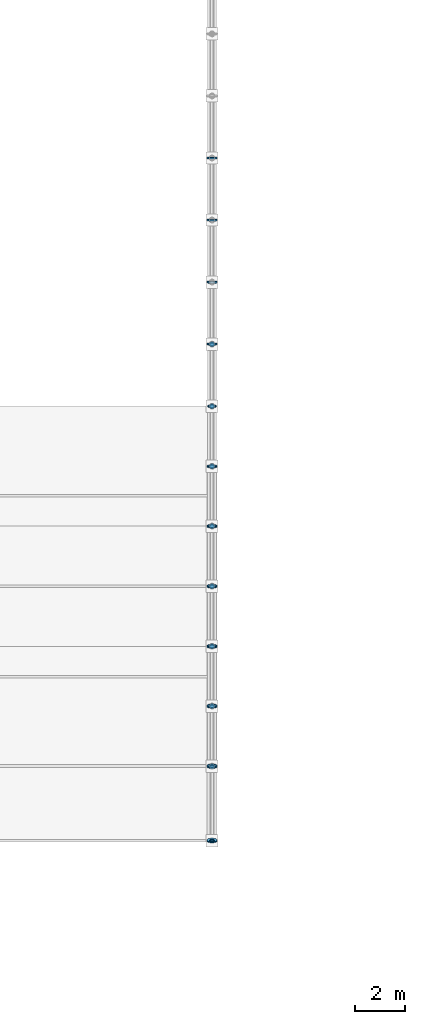
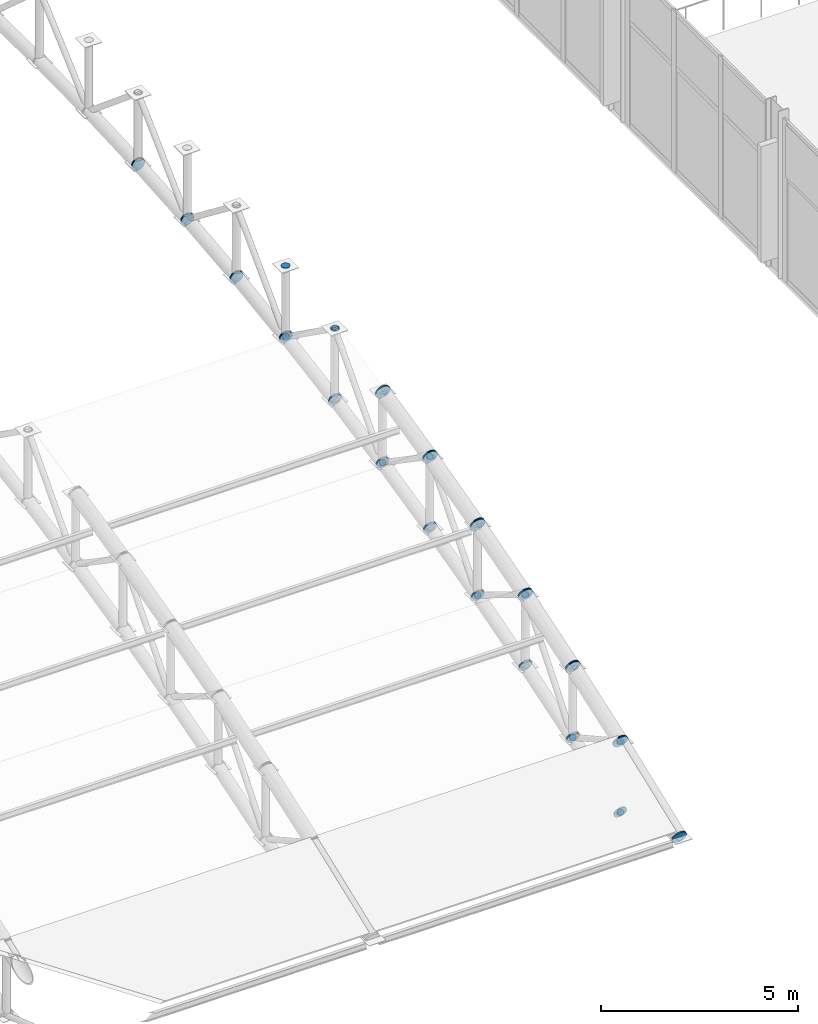
# One storey, part 127 of 195: 66 discrete accessories.
"""IFC4 building model written with IfcOpenShell, lengths in metres."""

from ifc_helpers import new_model, si_unit, direction, frame, origin, origin_2d, place, context, subcontext, project, spatial, circle, extrude, material, element, save


model = new_model("IFC4")

# Units and contexts
model_context = context("Model", 3, precision=1e-05, world=origin(), true_north=direction((0.0, 1.0)))
body_context = subcontext(model_context, "Body", "Model", "MODEL_VIEW")
ifc_project = project(units=[si_unit("LENGTHUNIT", "METRE"), si_unit("AREAUNIT", "SQUARE_METRE"), si_unit("VOLUMEUNIT", "CUBIC_METRE"), si_unit("PLANEANGLEUNIT", "RADIAN"), si_unit("MASSUNIT", "GRAM", prefix="KILO")], contexts=[model_context])

# Site, building, storey
site_placement = place(None, origin())
site = spatial("IfcSite", under=ifc_project, at=site_placement, CompositionType="ELEMENT")
building_placement = place(site_placement, origin())
building = spatial("IfcBuilding", under=site, at=building_placement, Name="Marlcrest Central Station", CompositionType="ELEMENT")
storey_placement = place(building_placement, frame((0.0, 0.0, 9.800048828125)))
storey = spatial("IfcBuildingStorey", under=building, at=storey_placement, Name="L02", CompositionType="ELEMENT", Elevation=9.800048828125)

# Discrete accessories
ifc_material = material(Name="Steel S355", Category="steel")
for number, where, z_axis, x_axis, name in (
    (1, (72.0, 33.486083984375, 0.4404296875), (0.0, 0.933324071143, 0.359035065453), (-1.0, 0.0, 0.0), "endcap-mem-AC-01-L02-00989-s"),
    (2, (72.0, 36.4765625, 1.5908203125), (0.0, 0.933324071143, 0.359035065453), (-1.0, 0.0, 0.0), "endcap-mem-AC-01-L02-00989-e"),
):
    element("IfcDiscreteAccessory", number, at=place(storey_placement, frame(where, z_axis=z_axis, x_axis=x_axis)), inside=storey, material=ifc_material, Name=name, ObjectType="END_CAP_PLATE", PredefinedType="BRACKET", context=body_context, shape_type="SweptSolid", body=[
        extrude(circle(Radius=0.211181640625, at=origin_2d()), origin(), (0.0, 0.0, 1.0), 0.0400390625),
    ])
for number, where, z_axis, x_axis, name in (
    (3, (72.0, 36.51416015625, -0.60498046875), (0.0, -0.944260188635, 0.329200085296), (1.0, 0.0, 0.0), "endcap-mem-AD-01-L02-00990-s"),
    (4, (72.0, 33.523681640625, 0.4375), (0.0, -0.944260188635, 0.329200085296), (1.0, 0.0, 0.0), "endcap-mem-AD-01-L02-00990-e"),
):
    element("IfcDiscreteAccessory", number, at=place(storey_placement, frame(where, z_axis=z_axis, x_axis=x_axis)), inside=storey, material=ifc_material, Name=name, ObjectType="END_CAP_PLATE", PredefinedType="BRACKET", context=body_context, shape_type="SweptSolid", body=[
        extrude(circle(Radius=0.092041015625, at=origin_2d()), origin(), (0.0, 0.0, 1.0), 0.0400390625),
    ])
for number, where, z_axis, x_axis, name in (
    (5, (72.0, 36.48583984375, 1.594970703125), (0.0, 0.94353735649, 0.331266142109), (-1.0, 0.0, 0.0), "endcap-mem-AC-01-L02-00991-s"),
    (6, (72.0, 38.896240234375, 2.441162109375), (0.0, 0.94353735649, 0.331266142109), (-1.0, 0.0, 0.0), "endcap-mem-AC-01-L02-00991-e"),
):
    element("IfcDiscreteAccessory", number, at=place(storey_placement, frame(where, z_axis=z_axis, x_axis=x_axis)), inside=storey, material=ifc_material, Name=name, ObjectType="END_CAP_PLATE", PredefinedType="BRACKET", context=body_context, shape_type="SweptSolid", body=[
        extrude(circle(Radius=0.211181640625, at=origin_2d()), origin(), (0.0, 0.0, 1.0), 0.0400390625),
    ])
for number, where, z_axis, x_axis, name in (
    (7, (72.0, 36.48583984375, -0.60498046875), (0.0, 0.94353735649, 0.331266142109), (-1.0, 0.0, 0.0), "endcap-mem-AC-02-L02-00992-s"),
    (8, (72.0, 38.896240234375, 0.2412109375), (0.0, 0.94353735649, 0.331266142109), (-1.0, 0.0, 0.0), "endcap-mem-AC-02-L02-00992-e"),
):
    element("IfcDiscreteAccessory", number, at=place(storey_placement, frame(where, z_axis=z_axis, x_axis=x_axis)), inside=storey, material=ifc_material, Name=name, ObjectType="END_CAP_PLATE", PredefinedType="BRACKET", context=body_context, shape_type="SweptSolid", body=[
        extrude(circle(Radius=0.185791015625, at=origin_2d()), origin(), (0.0, 0.0, 1.0), 0.0400390625),
    ])
for number, where, z_axis, x_axis, name in (
    (9, (72.0, 36.5, -0.614990234375), (0.0, 0.0, 1.0), (1.0, 0.0, 0.0), "endcap-mem-AP-01-L02-00993-s"),
    (10, (72.0, 36.5, 1.574951171875), (0.0, 0.0, 1.0), (1.0, 0.0, 0.0), "endcap-mem-AP-01-L02-00993-e"),
):
    element("IfcDiscreteAccessory", number, at=place(storey_placement, frame(where, z_axis=z_axis, x_axis=x_axis)), inside=storey, material=ifc_material, Name=name, ObjectType="END_CAP_PLATE", PredefinedType="BRACKET", context=body_context, shape_type="SweptSolid", body=[
        extrude(circle(Radius=0.117431640625, at=origin_2d()), origin(), (0.0, 0.0, 1.0), 0.0400390625),
    ])
for number, where, z_axis, x_axis, name in (
    (11, (72.0, 36.48681640625, 1.607177734375), (0.0, 0.873245653167, -0.487280236851), (-1.0, 0.0, 0.0), "endcap-mem-AD-01-L02-00994-s"),
    (12, (72.0, 38.898193359375, 0.26171875), (0.0, 0.873245653167, -0.487280236851), (-1.0, 0.0, 0.0), "endcap-mem-AD-01-L02-00994-e"),
):
    element("IfcDiscreteAccessory", number, at=place(storey_placement, frame(where, z_axis=z_axis, x_axis=x_axis)), inside=storey, material=ifc_material, Name=name, ObjectType="END_CAP_PLATE", PredefinedType="BRACKET", context=body_context, shape_type="SweptSolid", body=[
        extrude(circle(Radius=0.092041015625, at=origin_2d()), origin(), (0.0, 0.0, 1.0), 0.0400390625),
    ])
for number, where, z_axis, x_axis, name in (
    (13, (72.0, 38.90576171875, 2.44482421875), (0.0, 0.952116828449, 0.305734435391), (-1.0, 0.0, 0.0), "endcap-mem-AC-01-L02-00995-s"),
    (14, (72.0, 41.306396484375, 3.2158203125), (0.0, 0.952116828449, 0.305734435391), (-1.0, 0.0, 0.0), "endcap-mem-AC-01-L02-00995-e"),
):
    element("IfcDiscreteAccessory", number, at=place(storey_placement, frame(where, z_axis=z_axis, x_axis=x_axis)), inside=storey, material=ifc_material, Name=name, ObjectType="END_CAP_PLATE", PredefinedType="BRACKET", context=body_context, shape_type="SweptSolid", body=[
        extrude(circle(Radius=0.211181640625, at=origin_2d()), origin(), (0.0, 0.0, 1.0), 0.0400390625),
    ])
for number, where, z_axis, x_axis, name in (
    (15, (72.0, 38.90576171875, 0.244873046875), (0.0, 0.952116828449, 0.305734435391), (-1.0, 0.0, 0.0), "endcap-mem-AC-02-L02-00996-s"),
    (16, (72.0, 41.306396484375, 1.015869140625), (0.0, 0.952116828449, 0.305734435391), (-1.0, 0.0, 0.0), "endcap-mem-AC-02-L02-00996-e"),
):
    element("IfcDiscreteAccessory", number, at=place(storey_placement, frame(where, z_axis=z_axis, x_axis=x_axis)), inside=storey, material=ifc_material, Name=name, ObjectType="END_CAP_PLATE", PredefinedType="BRACKET", context=body_context, shape_type="SweptSolid", body=[
        extrude(circle(Radius=0.185791015625, at=origin_2d()), origin(), (0.0, 0.0, 1.0), 0.0400390625),
    ])
for number, where, z_axis, x_axis, name in (
    (17, (72.0, 38.919921875, 0.234619140625), (0.0, 0.0, 1.0), (1.0, 0.0, 0.0), "endcap-mem-AP-01-L02-00997-s"),
    (18, (72.0, 38.919921875, 2.424560546875), (0.0, 0.0, 1.0), (1.0, 0.0, 0.0), "endcap-mem-AP-01-L02-00997-e"),
):
    element("IfcDiscreteAccessory", number, at=place(storey_placement, frame(where, z_axis=z_axis, x_axis=x_axis)), inside=storey, material=ifc_material, Name=name, ObjectType="END_CAP_PLATE", PredefinedType="BRACKET", context=body_context, shape_type="SweptSolid", body=[
        extrude(circle(Radius=0.117431640625, at=origin_2d()), origin(), (0.0, 0.0, 1.0), 0.0400390625),
    ])
for number, where, z_axis, x_axis, name in (
    (19, (72.0, 38.910400390625, 0.23779296875), (0.0, 0.62962929743, 0.776895712318), (-1.0, 0.0, 0.0), "endcap-mem-AD-01-L02-00998-s"),
    (20, (72.0, 41.314453125, 3.203857421875), (0.0, 0.62962929743, 0.776895712318), (-1.0, 0.0, 0.0), "endcap-mem-AD-01-L02-00998-e"),
):
    element("IfcDiscreteAccessory", number, at=place(storey_placement, frame(where, z_axis=z_axis, x_axis=x_axis)), inside=storey, material=ifc_material, Name=name, ObjectType="END_CAP_PLATE", PredefinedType="BRACKET", context=body_context, shape_type="SweptSolid", body=[
        extrude(circle(Radius=0.092041015625, at=origin_2d()), origin(), (0.0, 0.0, 1.0), 0.0400390625),
    ])
for number, where, z_axis, x_axis, name in (
    (21, (72.0, 41.315673828125, 3.21923828125), (0.0, 0.960130083362, 0.27955361386), (-1.0, 0.0, 0.0), "endcap-mem-AC-01-L02-00999-s"),
    (22, (72.0, 43.72607421875, 3.9208984375), (0.0, 0.960130083362, 0.27955361386), (-1.0, 0.0, 0.0), "endcap-mem-AC-01-L02-00999-e"),
):
    element("IfcDiscreteAccessory", number, at=place(storey_placement, frame(where, z_axis=z_axis, x_axis=x_axis)), inside=storey, material=ifc_material, Name=name, ObjectType="END_CAP_PLATE", PredefinedType="BRACKET", context=body_context, shape_type="SweptSolid", body=[
        extrude(circle(Radius=0.211181640625, at=origin_2d()), origin(), (0.0, 0.0, 1.0), 0.0400390625),
    ])
for number, where, z_axis, x_axis, name in (
    (23, (72.0, 41.315673828125, 1.019287109375), (0.0, 0.960130083362, 0.27955361386), (-1.0, 0.0, 0.0), "endcap-mem-AC-02-L02-01000-s"),
    (24, (72.0, 43.72607421875, 1.720947265625), (0.0, 0.960130083362, 0.27955361386), (-1.0, 0.0, 0.0), "endcap-mem-AC-02-L02-01000-e"),
):
    element("IfcDiscreteAccessory", number, at=place(storey_placement, frame(where, z_axis=z_axis, x_axis=x_axis)), inside=storey, material=ifc_material, Name=name, ObjectType="END_CAP_PLATE", PredefinedType="BRACKET", context=body_context, shape_type="SweptSolid", body=[
        extrude(circle(Radius=0.185791015625, at=origin_2d()), origin(), (0.0, 0.0, 1.0), 0.0400390625),
    ])
for number, where, z_axis, x_axis, name in (
    (25, (72.0, 41.330078125, 1.008544921875), (0.0, 0.0, 1.0), (1.0, 0.0, 0.0), "endcap-mem-AP-01-L02-01001-s"),
    (26, (72.0, 41.330078125, 3.198486328125), (0.0, 0.0, 1.0), (1.0, 0.0, 0.0), "endcap-mem-AP-01-L02-01001-e"),
):
    element("IfcDiscreteAccessory", number, at=place(storey_placement, frame(where, z_axis=z_axis, x_axis=x_axis)), inside=storey, material=ifc_material, Name=name, ObjectType="END_CAP_PLATE", PredefinedType="BRACKET", context=body_context, shape_type="SweptSolid", body=[
        extrude(circle(Radius=0.117431640625, at=origin_2d()), origin(), (0.0, 0.0, 1.0), 0.0400390625),
    ])
for number, where, z_axis, x_axis, name in (
    (27, (72.0, 41.3173828125, 3.231201171875), (0.0, 0.850687380038, -0.525671933286), (-1.0, 0.0, 0.0), "endcap-mem-AD-01-L02-01002-s"),
    (28, (72.0, 43.728759765625, 1.7412109375), (0.0, 0.850687380038, -0.525671933286), (-1.0, 0.0, 0.0), "endcap-mem-AD-01-L02-01002-e"),
):
    element("IfcDiscreteAccessory", number, at=place(storey_placement, frame(where, z_axis=z_axis, x_axis=x_axis)), inside=storey, material=ifc_material, Name=name, ObjectType="END_CAP_PLATE", PredefinedType="BRACKET", context=body_context, shape_type="SweptSolid", body=[
        extrude(circle(Radius=0.092041015625, at=origin_2d()), origin(), (0.0, 0.0, 1.0), 0.0400390625),
    ])
for number, where, z_axis, x_axis, name in (
    (29, (72.0, 43.735595703125, 3.924072265625), (0.0, 0.967539481681, 0.252719906989), (-1.0, 0.0, 0.0), "endcap-mem-AC-01-L02-01003-s"),
    (30, (72.0, 46.145751953125, 4.5537109375), (0.0, 0.967539481681, 0.252719906989), (-1.0, 0.0, 0.0), "endcap-mem-AC-01-L02-01003-e"),
):
    element("IfcDiscreteAccessory", number, at=place(storey_placement, frame(where, z_axis=z_axis, x_axis=x_axis)), inside=storey, material=ifc_material, Name=name, ObjectType="END_CAP_PLATE", PredefinedType="BRACKET", context=body_context, shape_type="SweptSolid", body=[
        extrude(circle(Radius=0.211181640625, at=origin_2d()), origin(), (0.0, 0.0, 1.0), 0.0400390625),
    ])
for number, where, z_axis, x_axis, name in (
    (31, (72.0, 43.735595703125, 1.72412109375), (0.0, 0.967563345928, 0.252628524946), (-1.0, 0.0, 0.0), "endcap-mem-AC-02-L02-01004-s"),
    (32, (72.0, 46.145751953125, 2.353515625), (0.0, 0.967563345928, 0.252628524946), (-1.0, 0.0, 0.0), "endcap-mem-AC-02-L02-01004-e"),
):
    element("IfcDiscreteAccessory", number, at=place(storey_placement, frame(where, z_axis=z_axis, x_axis=x_axis)), inside=storey, material=ifc_material, Name=name, ObjectType="END_CAP_PLATE", PredefinedType="BRACKET", context=body_context, shape_type="SweptSolid", body=[
        extrude(circle(Radius=0.185791015625, at=origin_2d()), origin(), (0.0, 0.0, 1.0), 0.0400390625),
    ])
for number, where, z_axis, x_axis, name in (
    (33, (72.0, 43.75, 1.713134765625), (0.0, 0.0, 1.0), (1.0, 0.0, 0.0), "endcap-mem-AP-01-L02-01005-s"),
    (34, (72.0, 43.75, 3.903076171875), (0.0, 0.0, 1.0), (1.0, 0.0, 0.0), "endcap-mem-AP-01-L02-01005-e"),
):
    element("IfcDiscreteAccessory", number, at=place(storey_placement, frame(where, z_axis=z_axis, x_axis=x_axis)), inside=storey, material=ifc_material, Name=name, ObjectType="END_CAP_PLATE", PredefinedType="BRACKET", context=body_context, shape_type="SweptSolid", body=[
        extrude(circle(Radius=0.117431640625, at=origin_2d()), origin(), (0.0, 0.0, 1.0), 0.0400390625),
    ])
for number, where, z_axis, x_axis, name in (
    (35, (72.0, 43.740234375, 1.716552734375), (0.0, 0.649624779144, 0.760254987699), (-1.0, 0.0, 0.0), "endcap-mem-AD-01-L02-01006-s"),
    (36, (72.0, 46.153564453125, 4.541015625), (0.0, 0.649624779144, 0.760254987699), (-1.0, 0.0, 0.0), "endcap-mem-AD-01-L02-01006-e"),
):
    element("IfcDiscreteAccessory", number, at=place(storey_placement, frame(where, z_axis=z_axis, x_axis=x_axis)), inside=storey, material=ifc_material, Name=name, ObjectType="END_CAP_PLATE", PredefinedType="BRACKET", context=body_context, shape_type="SweptSolid", body=[
        extrude(circle(Radius=0.092041015625, at=origin_2d()), origin(), (0.0, 0.0, 1.0), 0.0400390625),
    ])
for number, where, z_axis, x_axis, name in (
    (37, (72.0, 46.1552734375, 4.556640625), (0.0, 0.974329612642, 0.225126200004), (-1.0, 0.0, 0.0), "endcap-mem-AC-01-L02-01007-s"),
    (38, (72.0, 48.5556640625, 5.111328125), (0.0, 0.974329612642, 0.225126200004), (-1.0, 0.0, 0.0), "endcap-mem-AC-01-L02-01007-e"),
):
    element("IfcDiscreteAccessory", number, at=place(storey_placement, frame(where, z_axis=z_axis, x_axis=x_axis)), inside=storey, material=ifc_material, Name=name, ObjectType="END_CAP_PLATE", PredefinedType="BRACKET", context=body_context, shape_type="SweptSolid", body=[
        extrude(circle(Radius=0.211181640625, at=origin_2d()), origin(), (0.0, 0.0, 1.0), 0.0400390625),
    ])
for number, where, z_axis, x_axis, name in (
    (39, (72.0, 46.1552734375, 2.3564453125), (0.0, 0.974307959875, 0.225219891049), (-1.0, 0.0, 0.0), "endcap-mem-AC-02-L02-01008-s"),
    (40, (72.0, 48.5556640625, 2.911376953125), (0.0, 0.974307959875, 0.225219891049), (-1.0, 0.0, 0.0), "endcap-mem-AC-02-L02-01008-e"),
):
    element("IfcDiscreteAccessory", number, at=place(storey_placement, frame(where, z_axis=z_axis, x_axis=x_axis)), inside=storey, material=ifc_material, Name=name, ObjectType="END_CAP_PLATE", PredefinedType="BRACKET", context=body_context, shape_type="SweptSolid", body=[
        extrude(circle(Radius=0.185791015625, at=origin_2d()), origin(), (0.0, 0.0, 1.0), 0.0400390625),
    ])
for number, where, z_axis, x_axis, name in (
    (41, (72.0, 46.169921875, 2.344970703125), (0.0, 0.0, 1.0), (1.0, 0.0, 0.0), "endcap-mem-AP-01-L02-01009-s"),
    (42, (72.0, 46.169921875, 4.53515625), (0.0, 0.0, 1.0), (1.0, 0.0, 0.0), "endcap-mem-AP-01-L02-01009-e"),
):
    element("IfcDiscreteAccessory", number, at=place(storey_placement, frame(where, z_axis=z_axis, x_axis=x_axis)), inside=storey, material=ifc_material, Name=name, ObjectType="END_CAP_PLATE", PredefinedType="BRACKET", context=body_context, shape_type="SweptSolid", body=[
        extrude(circle(Radius=0.117431640625, at=origin_2d()), origin(), (0.0, 0.0, 1.0), 0.0400390625),
    ])
for number, where, z_axis, x_axis, name in (
    (43, (72.0, 46.157470703125, 4.568603515625), (0.0, 0.82626275624, -0.563284881432), (-1.0, 0.0, 0.0), "endcap-mem-AD-01-L02-01010-s"),
    (44, (72.0, 48.559326171875, 2.93115234375), (0.0, 0.82626275624, -0.563284881432), (-1.0, 0.0, 0.0), "endcap-mem-AD-01-L02-01010-e"),
):
    element("IfcDiscreteAccessory", number, at=place(storey_placement, frame(where, z_axis=z_axis, x_axis=x_axis)), inside=storey, material=ifc_material, Name=name, ObjectType="END_CAP_PLATE", PredefinedType="BRACKET", context=body_context, shape_type="SweptSolid", body=[
        extrude(circle(Radius=0.092041015625, at=origin_2d()), origin(), (0.0, 0.0, 1.0), 0.0400390625),
    ])
for number, where, z_axis, x_axis, name in (
    (45, (72.0, 48.5654296875, 2.9140625), (0.0, 0.980359417961, 0.197219196874), (-1.0, 0.0, 0.0), "endcap-mem-AC-02-L02-01012-s"),
    (46, (72.0, 50.9755859375, 3.39892578125), (0.0, 0.980359417961, 0.197219196874), (-1.0, 0.0, 0.0), "endcap-mem-AC-02-L02-01012-e"),
):
    element("IfcDiscreteAccessory", number, at=place(storey_placement, frame(where, z_axis=z_axis, x_axis=x_axis)), inside=storey, material=ifc_material, Name=name, ObjectType="END_CAP_PLATE", PredefinedType="BRACKET", context=body_context, shape_type="SweptSolid", body=[
        extrude(circle(Radius=0.185791015625, at=origin_2d()), origin(), (0.0, 0.0, 1.0), 0.0400390625),
    ])
for number, where, z_axis, x_axis, name in (
    (47, (72.0, 48.580078125, 2.902099609375), (0.0, 0.0, 1.0), (1.0, 0.0, 0.0), "endcap-mem-AP-01-L02-01013-s"),
    (48, (72.0, 48.580078125, 5.092041015625), (0.0, 0.0, 1.0), (1.0, 0.0, 0.0), "endcap-mem-AP-01-L02-01013-e"),
):
    element("IfcDiscreteAccessory", number, at=place(storey_placement, frame(where, z_axis=z_axis, x_axis=x_axis)), inside=storey, material=ifc_material, Name=name, ObjectType="END_CAP_PLATE", PredefinedType="BRACKET", context=body_context, shape_type="SweptSolid", body=[
        extrude(circle(Radius=0.117431640625, at=origin_2d()), origin(), (0.0, 0.0, 1.0), 0.0400390625),
    ])
for number, where, z_axis, x_axis, name in (
    (49, (72.0, 48.570068359375, 2.90576171875), (0.0, 0.669244457479, 0.743042297675), (-1.0, 0.0, 0.0), "endcap-mem-AD-01-L02-01014-s"),
    (50, (72.0, 50.983154296875, 5.585205078125), (0.0, 0.669244457479, 0.743042297675), (-1.0, 0.0, 0.0), "endcap-mem-AD-01-L02-01014-e"),
):
    element("IfcDiscreteAccessory", number, at=place(storey_placement, frame(where, z_axis=z_axis, x_axis=x_axis)), inside=storey, material=ifc_material, Name=name, ObjectType="END_CAP_PLATE", PredefinedType="BRACKET", context=body_context, shape_type="SweptSolid", body=[
        extrude(circle(Radius=0.092041015625, at=origin_2d()), origin(), (0.0, 0.0, 1.0), 0.0400390625),
    ])
for number, where, z_axis, x_axis, name in (
    (51, (72.0, 50.985107421875, 3.4013671875), (0.0, 0.98574109921, 0.168269086076), (-1.0, 0.0, 0.0), "endcap-mem-AC-02-L02-01016-s"),
    (52, (72.0, 53.475341796875, 3.826416015625), (0.0, 0.98574109921, 0.168269086076), (-1.0, 0.0, 0.0), "endcap-mem-AC-02-L02-01016-e"),
):
    element("IfcDiscreteAccessory", number, at=place(storey_placement, frame(where, z_axis=z_axis, x_axis=x_axis)), inside=storey, material=ifc_material, Name=name, ObjectType="END_CAP_PLATE", PredefinedType="BRACKET", context=body_context, shape_type="SweptSolid", body=[
        extrude(circle(Radius=0.185791015625, at=origin_2d()), origin(), (0.0, 0.0, 1.0), 0.0400390625),
    ])
for number, where, z_axis, x_axis, name in (
    (53, (72.0, 51.0, 3.388916015625), (0.0, 0.0, 1.0), (1.0, 0.0, 0.0), "endcap-mem-AP-01-L02-01017-s"),
    (54, (72.0, 51.0, 5.578857421875), (0.0, 0.0, 1.0), (1.0, 0.0, 0.0), "endcap-mem-AP-01-L02-01017-e"),
):
    element("IfcDiscreteAccessory", number, at=place(storey_placement, frame(where, z_axis=z_axis, x_axis=x_axis)), inside=storey, material=ifc_material, Name=name, ObjectType="END_CAP_PLATE", PredefinedType="BRACKET", context=body_context, shape_type="SweptSolid", body=[
        extrude(circle(Radius=0.117431640625, at=origin_2d()), origin(), (0.0, 0.0, 1.0), 0.0400390625),
    ])
for number, where, z_axis, x_axis, name in (
    (55, (72.0, 50.98779296875, 5.612548828125), (0.0, 0.815661132754, -0.57852996164), (-1.0, 0.0, 0.0), "endcap-mem-AD-01-L02-01018-s"),
    (56, (72.0, 53.4794921875, 3.844970703125), (0.0, 0.815661132754, -0.57852996164), (-1.0, 0.0, 0.0), "endcap-mem-AD-01-L02-01018-e"),
):
    element("IfcDiscreteAccessory", number, at=place(storey_placement, frame(where, z_axis=z_axis, x_axis=x_axis)), inside=storey, material=ifc_material, Name=name, ObjectType="END_CAP_PLATE", PredefinedType="BRACKET", context=body_context, shape_type="SweptSolid", body=[
        extrude(circle(Radius=0.092041015625, at=origin_2d()), origin(), (0.0, 0.0, 1.0), 0.0400390625),
    ])
for number, where, z_axis, x_axis, name in (
    (57, (72.0, 53.485107421875, 3.82861328125), (0.0, 0.990402740232, 0.138211476152), (-1.0, 0.0, 0.0), "endcap-mem-AC-02-L02-01020-s"),
    (58, (72.0, 55.975341796875, 4.176025390625), (0.0, 0.990402740232, 0.138211476152), (-1.0, 0.0, 0.0), "endcap-mem-AC-02-L02-01020-e"),
):
    element("IfcDiscreteAccessory", number, at=place(storey_placement, frame(where, z_axis=z_axis, x_axis=x_axis)), inside=storey, material=ifc_material, Name=name, ObjectType="END_CAP_PLATE", PredefinedType="BRACKET", context=body_context, shape_type="SweptSolid", body=[
        extrude(circle(Radius=0.185791015625, at=origin_2d()), origin(), (0.0, 0.0, 1.0), 0.0400390625),
    ])
for number, where, z_axis, x_axis, name in (
    (59, (72.0, 53.5, 3.815673828125), (0.0, 0.0, 1.0), (1.0, 0.0, 0.0), "endcap-mem-AP-01-L02-01021-s"),
    (60, (72.0, 53.5, 6.005615234375), (0.0, 0.0, 1.0), (1.0, 0.0, 0.0), "endcap-mem-AP-01-L02-01021-e"),
):
    element("IfcDiscreteAccessory", number, at=place(storey_placement, frame(where, z_axis=z_axis, x_axis=x_axis)), inside=storey, material=ifc_material, Name=name, ObjectType="END_CAP_PLATE", PredefinedType="BRACKET", context=body_context, shape_type="SweptSolid", body=[
        extrude(circle(Radius=0.117431640625, at=origin_2d()), origin(), (0.0, 0.0, 1.0), 0.0400390625),
    ])
discrete_accessory_placement = place(storey_placement, frame((72.0, 53.489501953125, 3.81982421875), z_axis=(0.0, 0.70023547796, 0.713911952139), x_axis=(-1.0, 0.0, 0.0)))
element("IfcDiscreteAccessory", 61, at=discrete_accessory_placement, inside=storey, material=ifc_material, Name="endcap-mem-AD-01-L02-01022-s", ObjectType="END_CAP_PLATE", PredefinedType="BRACKET", context=body_context, shape_type="SweptSolid", body=[
    extrude(circle(Radius=0.092041015625, at=origin_2d()), origin(), (0.0, 0.0, 1.0), 0.0400390625),
])
for number, where, z_axis, x_axis, name in (
    (62, (72.0, 55.985107421875, 4.177734375), (0.0, 0.994155341034, 0.107959056565), (-1.0, 0.0, 0.0), "endcap-mem-AC-02-L02-01024-s"),
    (63, (72.0, 58.47509765625, 4.4482421875), (0.0, 0.994155341034, 0.107959056565), (-1.0, 0.0, 0.0), "endcap-mem-AC-02-L02-01024-e"),
    (64, (72.0, 58.485107421875, 4.44970703125), (0.0, 0.997007334767, 0.077307014043), (-1.0, 0.0, 0.0), "endcap-mem-AC-02-L02-01028-s"),
    (65, (72.0, 60.97509765625, 4.642822265625), (0.0, 0.997007334767, 0.077307014043), (-1.0, 0.0, 0.0), "endcap-mem-AC-02-L02-01028-e"),
    (66, (72.0, 60.985107421875, 4.64404296875), (0.0, 0.998916819647, 0.046531574509), (-1.0, 0.0, 0.0), "endcap-mem-AC-02-L02-01032-s"),
):
    element("IfcDiscreteAccessory", number, at=place(storey_placement, frame(where, z_axis=z_axis, x_axis=x_axis)), inside=storey, material=ifc_material, Name=name, ObjectType="END_CAP_PLATE", PredefinedType="BRACKET", context=body_context, shape_type="SweptSolid", body=[
        extrude(circle(Radius=0.185791015625, at=origin_2d()), origin(), (0.0, 0.0, 1.0), 0.0400390625),
    ])

save(model, "model.ifc")
